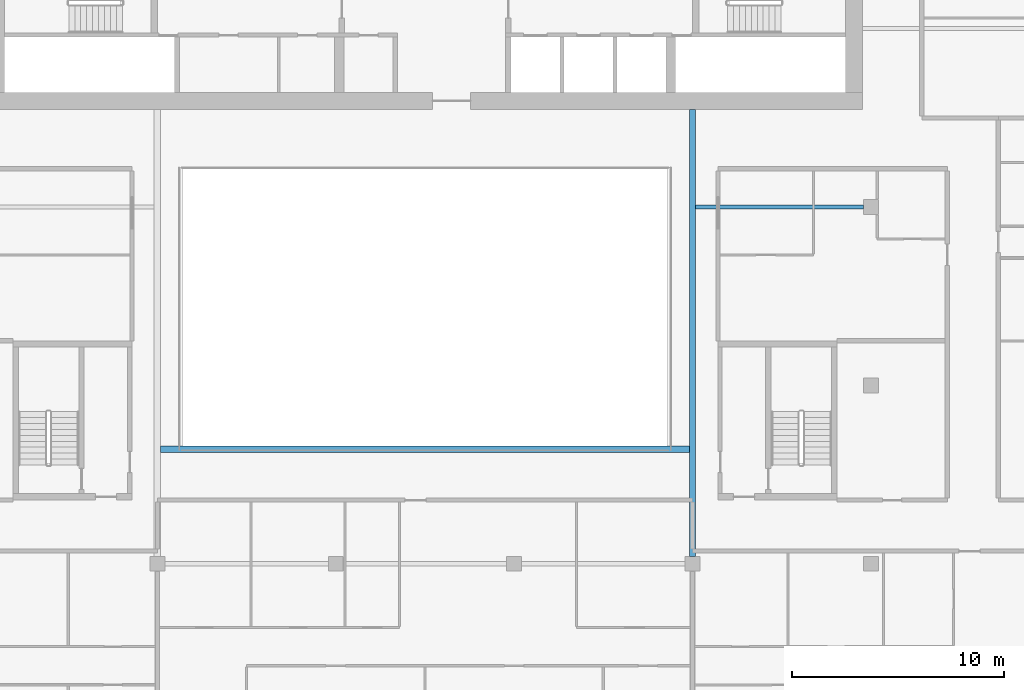
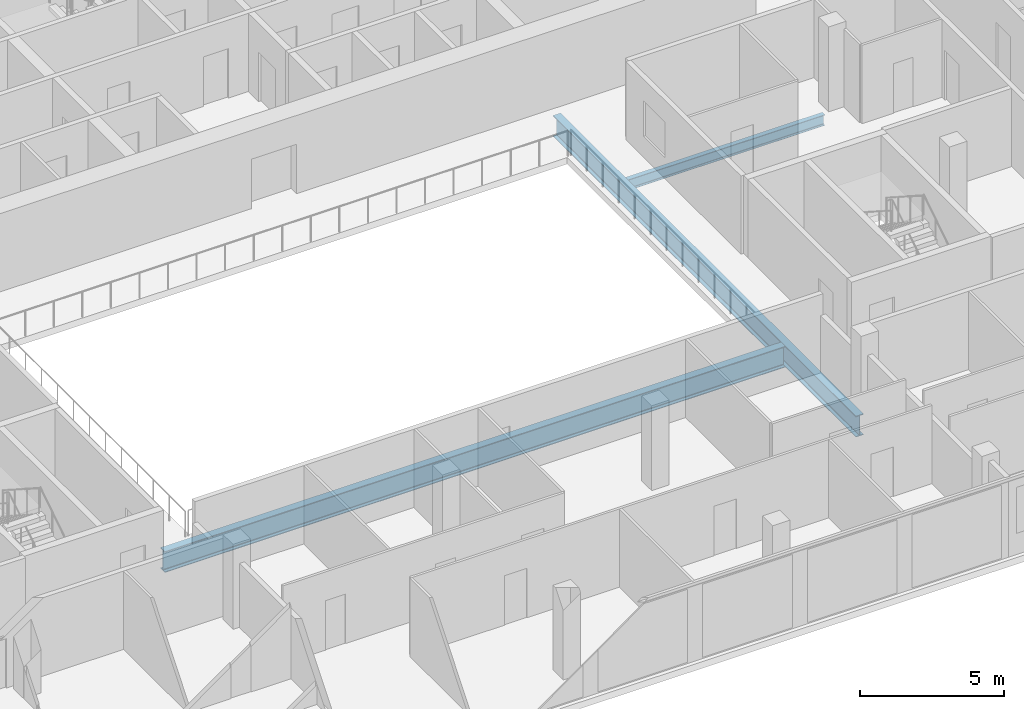
# One storey, part 7 of 30: 3 beams.
"""IFC4 building model written with IfcOpenShell, lengths in metres."""

from ifc_helpers import new_model, si_unit, direction, frame, origin, origin_2d, place, context, subcontext, project, spatial, i_section, extrude, material, material_profile, profile_set, type_object, element, save


model = new_model("IFC4")

# Units and contexts
model_context = context("Model", 3, precision=1e-05, world=origin(), true_north=direction((0.0, 1.0)))
body_context = subcontext(model_context, "Body", "Model", "MODEL_VIEW")
ifc_project = project(units=[si_unit("LENGTHUNIT", "METRE"), si_unit("AREAUNIT", "SQUARE_METRE"), si_unit("VOLUMEUNIT", "CUBIC_METRE"), si_unit("PLANEANGLEUNIT", "RADIAN"), si_unit("MASSUNIT", "GRAM", prefix="KILO")], contexts=[model_context])

# Site, building, storey
site_placement = place(None, origin())
site = spatial("IfcSite", under=ifc_project, at=site_placement, CompositionType="ELEMENT")
building_placement = place(site_placement, origin())
building = spatial("IfcBuilding", under=site, at=building_placement, Name="Saffron Gate Tower", CompositionType="ELEMENT")
storey_placement = place(building_placement, frame((0.0, 0.0, 165.449951171875)))
storey = spatial("IfcBuildingStorey", under=building, at=storey_placement, Name="L40", CompositionType="ELEMENT", Elevation=165.449951171875)

# Beams
ifc_material = material(Name="Structural steel S355", Category="steel")
ifc_material_profile_1 = material_profile(ifc_material, i_section(OverallWidth=0.300048828125, OverallDepth=0.889892578125, WebThickness=0.01611328125, FlangeThickness=0.030029296875, FilletRadius=0.030029296875, at=origin_2d()))
ifc_profile_set_1 = profile_set([ifc_material_profile_1], Name="Structural steel S355")
beam_type_1 = type_object("IfcBeamType", Name="B19 HEA 900", PredefinedType="BEAM", material=ifc_profile_set_1)
beam_1_placement = place(storey_placement, frame((100.199951171875, 40.550048828125, -0.724853515625), z_axis=(0.0, 1.0, 0.0), x_axis=(-1.0, 0.0, 0.0)))
element("IfcBeam", 1, at=beam_1_placement, inside=storey, type_object=beam_type_1, Name="B19 ATRIUM GIRDER", PredefinedType="BEAM", context=body_context, shape_type="SweptSolid", body=[
    extrude(i_section(OverallWidth=0.300048828125, OverallDepth=0.889892578125, WebThickness=0.01611328125, FlangeThickness=0.030029296875, FilletRadius=0.030029296875, at=origin_2d()), origin(), (0.0, 0.0, 1.0), 21.050048828125),
])
beam_2_placement = place(storey_placement, frame((75.14990234375, 45.60009765625, -0.724853515625), z_axis=(1.0, 0.0, 0.0), x_axis=(0.0, 1.0, 0.0)))
element("IfcBeam", 2, at=beam_2_placement, inside=storey, type_object=beam_type_1, Name="B19 ATRIUM GIRDER", PredefinedType="BEAM", context=body_context, shape_type="SweptSolid", body=[
    extrude(i_section(OverallWidth=0.300048828125, OverallDepth=0.889892578125, WebThickness=0.01611328125, FlangeThickness=0.030029296875, FilletRadius=0.030029296875, at=origin_2d()), origin(), (0.0, 0.0, 1.0), 24.900146484375),
])
ifc_material_profile_2 = material_profile(ifc_material, i_section(OverallWidth=0.18994140625, OverallDepth=0.449951171875, WebThickness=0.009521484375, FlangeThickness=0.0146484375, FilletRadius=0.02099609375, at=origin_2d()))
ifc_profile_set_2 = profile_set([ifc_material_profile_2], Name="Structural steel S355")
beam_type_2 = type_object("IfcBeamType", Name="B6 IPE 450", PredefinedType="BEAM", material=ifc_profile_set_2)
beam_3_placement = place(storey_placement, frame((108.25, 57.0, -0.5048828125), z_axis=(-1.0, 0.0, 0.0), x_axis=(0.0, -1.0, 0.0)))
element("IfcBeam", 3, at=beam_3_placement, inside=storey, type_object=beam_type_2, Name="B6 CORE TIE BEAM", PredefinedType="BEAM", context=body_context, shape_type="SweptSolid", body=[
    extrude(i_section(OverallWidth=0.18994140625, OverallDepth=0.449951171875, WebThickness=0.009521484375, FlangeThickness=0.0146484375, FilletRadius=0.02099609375, at=origin_2d()), origin(), (0.0, 0.0, 1.0), 7.89990234375),
])

save(model, "model.ifc")
